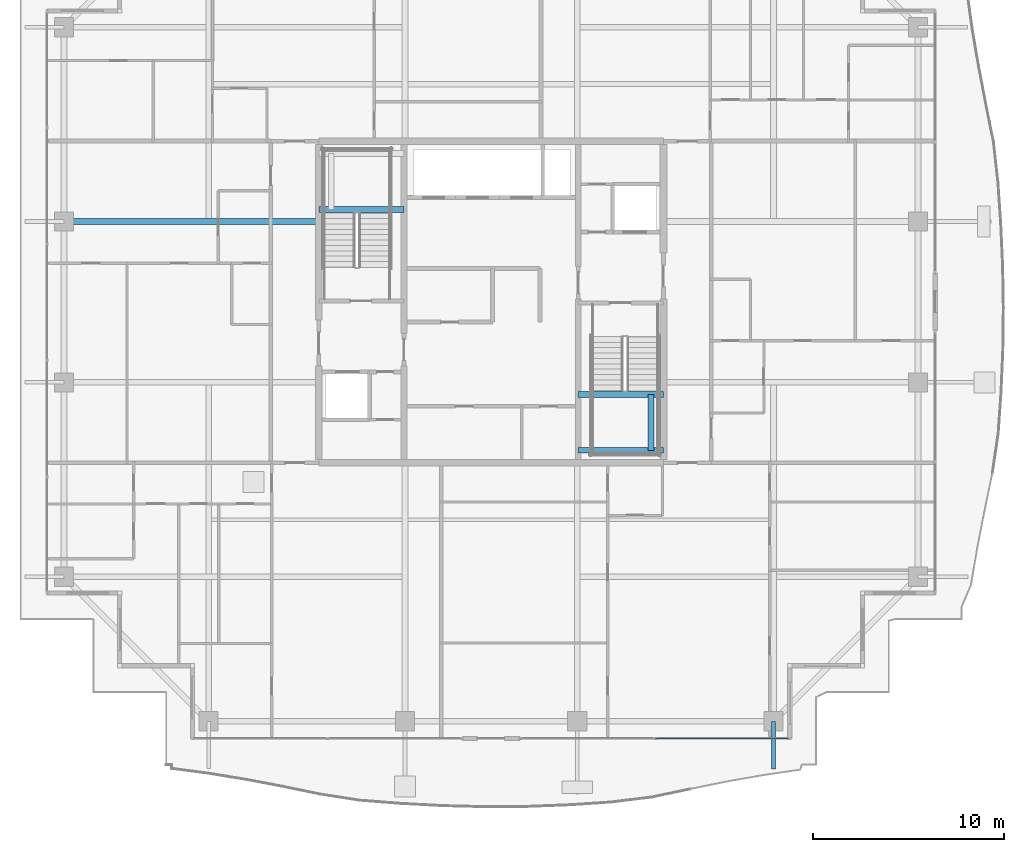
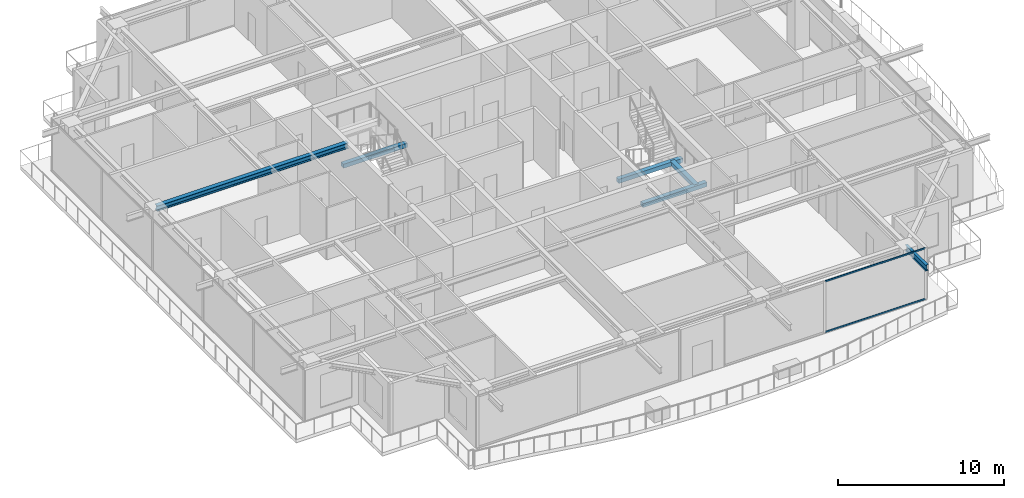
# One storey, part 11 of 42: 6 beams, 2 members, 1 element without a shape of its own.
"""IFC4 building model written with IfcOpenShell, lengths in metres."""

from ifc_helpers import new_model, si_unit, direction, frame, origin, origin_2d, place, context, subcontext, project, spatial, rectangle, hollow_rectangle, i_section, extrude, source, transform, mapped, material, layer, layer_set, material_profile, profile_set, type_object, element, aggregate, save


model = new_model("IFC4")

# Units and contexts
model_context = context("Model", 3, precision=1e-05, world=origin(), true_north=direction((0.0, 1.0)))
body_context = subcontext(model_context, "Body", "Model", "MODEL_VIEW")
ifc_project = project(units=[si_unit("LENGTHUNIT", "METRE"), si_unit("AREAUNIT", "SQUARE_METRE"), si_unit("VOLUMEUNIT", "CUBIC_METRE"), si_unit("PLANEANGLEUNIT", "RADIAN"), si_unit("MASSUNIT", "GRAM", prefix="KILO")], contexts=[model_context])

# Site, building, storey
site_placement = place(None, origin())
site = spatial("IfcSite", under=ifc_project, at=site_placement, CompositionType="ELEMENT")
building_placement = place(site_placement, origin())
building = spatial("IfcBuilding", under=site, at=building_placement, Name="Serunith Strait Residences", CompositionType="ELEMENT")
storey_placement = place(building_placement, frame((0.0, 0.0, 293.449951171875)))
storey = spatial("IfcBuildingStorey", under=building, at=storey_placement, Name="L73", CompositionType="ELEMENT", Elevation=293.449951171875)

# Beams
ifc_material_1 = material(Name="Steel S355J2", Category="steel")
ifc_material_profile_1 = material_profile(ifc_material_1, i_section(OverallWidth=0.300048828125, OverallDepth=0.39990234375, WebThickness=0.013427734375, FlangeThickness=0.02392578125, FilletRadius=0.027099609375, at=origin_2d()), Name="HEB 400")
ifc_profile_set_1 = profile_set([ifc_material_profile_1], Name="Steel S355J2")
beam_type_1 = type_object("IfcBeamType", Name="BM-HEB400", PredefinedType="BEAM", material=ifc_profile_set_1)
shared_shape_1 = source(origin(), body_context, "Body", "SweptSolid", [
    extrude(i_section(OverallWidth=0.300048828125, OverallDepth=0.39990234375, WebThickness=0.013427734375, FlangeThickness=0.02392578125, FilletRadius=0.027099609375, at=origin_2d()), origin(), (0.0, 0.0, 1.0), 13.2998046875),
])
beam_1_placement = place(storey_placement, frame((23.39990234375, 29.39990234375, 3.587158203125), z_axis=(-1.0, 0.0, 0.0), x_axis=(0.0, -1.0, 0.0)))
element("IfcBeam", 1, at=beam_1_placement, inside=storey, type_object=beam_type_1, Name="L73 Primary Floor Girder TC-W3", PredefinedType="BEAM", context=body_context, shape_type="MappedRepresentation", body=[
    mapped(shared_shape_1, transform((0.0, 0.0, 0.0), scale=1.0)),
])
ifc_material_profile_2 = material_profile(ifc_material_1, i_section(OverallWidth=0.18994140625, OverallDepth=0.449951171875, WebThickness=0.009521484375, FlangeThickness=0.0146484375, FilletRadius=0.02099609375, at=origin_2d()), Name="IPE 450")
ifc_profile_set_2 = profile_set([ifc_material_profile_2], Name="Steel S355J2")
beam_type_2 = type_object("IfcBeamType", Name="BM-IPE450", PredefinedType="JOIST", material=ifc_profile_set_2)
shared_shape_2 = source(origin(), body_context, "Body", "SweptSolid", [
    extrude(i_section(OverallWidth=0.18994140625, OverallDepth=0.449951171875, WebThickness=0.009521484375, FlangeThickness=0.0146484375, FilletRadius=0.02099609375, at=origin_2d()), origin(), (0.0, 0.0, 1.0), 2.490478515625),
])
beam_2_placement = place(storey_placement, frame((47.14990234375, 3.300048828125, 3.531982421875), z_axis=(0.0, -1.0, 0.0), x_axis=(1.0, 0.0, 0.0)))
element("IfcBeam", 2, at=beam_2_placement, inside=storey, type_object=beam_type_2, Name="L74 Cantilevered Balcony Rib TC-S4", PredefinedType="JOIST", context=body_context, shape_type="MappedRepresentation", body=[
    mapped(shared_shape_2, transform((0.0, 0.0, 0.0), scale=1.0)),
])
ifc_material_2 = material(Name="Concrete C60/75", Category="concrete")
ifc_material_profile_3 = material_profile(ifc_material_2, rectangle(XDim=0.300048828125, YDim=0.300048828125, at=origin_2d()), Name="RC 300x300")
ifc_profile_set_3 = profile_set([ifc_material_profile_3], Name="Concrete C60/75")
beam_type_3 = type_object("IfcBeamType", Name="BM-LAND-300x300", PredefinedType="BEAM", material=ifc_profile_set_3)
shared_shape_3 = source(origin(), body_context, "Body", "SweptSolid", [
    extrude(rectangle(XDim=0.300048828125, YDim=0.300048828125, at=origin_2d()), origin(), (0.0, 0.0, 1.0), 4.4501953125),
])
beam_3_placement = place(storey_placement, frame((23.39990234375, 30.030029296875, 1.675048828125), z_axis=(1.0, 0.0, 0.0), x_axis=(0.0, 1.0, 0.0)))
element("IfcBeam", 3, at=beam_3_placement, inside=storey, type_object=beam_type_3, Name="L73 ST-1 Landing Support Beam 1", PredefinedType="BEAM", context=body_context, shape_type="MappedRepresentation", body=[
    mapped(shared_shape_3, transform((0.0, 0.0, 0.0), scale=1.0)),
])
shared_shape_4 = source(origin(), body_context, "Body", "SweptSolid", [
    extrude(rectangle(XDim=0.300048828125, YDim=0.300048828125, at=origin_2d()), origin(), (0.0, 0.0, 1.0), 4.449951171875),
])
for number, where, z_axis, x_axis, name in (
    (4, (36.949951171875, 17.449951171875, 1.675048828125), (1.0, 0.0, 0.0), (0.0, 1.0, 0.0), "L73 ST-2 Landing Support Beam 1"),
    (5, (36.949951171875, 20.3701171875, 1.675048828125), (1.0, 0.0, 0.0), (0.0, 1.0, 0.0), "L73 ST-2 Landing Support Beam 2"),
):
    element("IfcBeam", number, at=place(storey_placement, frame(where, z_axis=z_axis, x_axis=x_axis)), inside=storey, type_object=beam_type_3, Name=name, PredefinedType="BEAM", context=body_context, shape_type="MappedRepresentation", body=[
        mapped(shared_shape_4, transform((0.0, 0.0, 0.0), scale=1.0)),
    ])
shared_shape_5 = source(origin(), body_context, "Body", "SweptSolid", [
    extrude(rectangle(XDim=0.300048828125, YDim=0.300048828125, at=origin_2d()), origin(), (0.0, 0.0, 1.0), 2.920166015625),
])
beam_4_placement = place(storey_placement, frame((40.75, 17.449951171875, 1.675048828125), z_axis=(0.0, 1.0, 0.0), x_axis=(-1.0, 0.0, 0.0)))
element("IfcBeam", 6, at=beam_4_placement, inside=storey, type_object=beam_type_3, Name="L73 ST-2 Landing Transverse Tie Beam", PredefinedType="BEAM", context=body_context, shape_type="MappedRepresentation", body=[
    mapped(shared_shape_5, transform((0.0, 0.0, 0.0), scale=1.0)),
])

# Curtain wall, members
ifc_material_3 = material(Name="Brushed Stainless-Silver Aluminium", Category="aluminium")
ifc_layer = layer(ifc_material_3, 0.199951171875, Name="Brushed Stainless-Silver Aluminium")
ifc_layer_set = layer_set([ifc_layer], Name="Brushed Stainless-Silver Aluminium")
curtain_wall_type = type_object("IfcCurtainWallType", Name="CW-SYS5", PredefinedType="NOTDEFINED", material=ifc_layer_set)
curtain_wall_placement = place(storey_placement, origin())
curtain_wall = element("IfcCurtainWall", 7, at=curtain_wall_placement, inside=storey, type_object=curtain_wall_type, Name="L73 S Unitised Fritted Curtain Wall", PredefinedType="NOTDEFINED")
ifc_material_profile_4 = material_profile(ifc_material_3, hollow_rectangle(XDim=0.06005859375, YDim=0.1201171875, WallThickness=0.00341796875, InnerFilletRadius=0.00537109375, OuterFilletRadius=0.0087890625, at=origin_2d()), Name="ALU 120x60x3.5")
ifc_profile_set_4 = profile_set([ifc_material_profile_4], Name="Brushed Stainless-Silver Aluminium")
member_type = type_object("IfcMemberType", Name="CW-SYS5-TRAN", PredefinedType="USERDEFINED", material=ifc_profile_set_4)
shared_shape_6 = source(origin(), body_context, "Body", "SweptSolid", [
    extrude(hollow_rectangle(XDim=0.06005859375, YDim=0.1201171875, WallThickness=0.00341796875, InnerFilletRadius=0.00537109375, OuterFilletRadius=0.0087890625, at=origin_2d()), origin(), (0.0, 0.0, 1.0), 6.95263671875),
])
member_1_placement = place(storey_placement, frame((40.982421875, 2.39990234375, 0.030029296875), z_axis=(1.0, 0.0, 0.0), x_axis=(0.0, 1.0, 0.0)))
member_1 = element("IfcMember", 8, at=member_1_placement, type_object=member_type, Name="CW-5 transom 2.1", ObjectType="TRANSOM", PredefinedType="USERDEFINED", context=body_context, shape_type="MappedRepresentation", body=[
    mapped(shared_shape_6, transform((0.0, 0.0, 0.0), scale=1.0)),
])
member_2_placement = place(storey_placement, frame((40.982421875, 2.39990234375, 3.7451171875), z_axis=(1.0, 0.0, 0.0), x_axis=(0.0, 1.0, 0.0)))
member_2 = element("IfcMember", 9, at=member_2_placement, type_object=member_type, Name="CW-5 transom 2.2", ObjectType="TRANSOM", PredefinedType="USERDEFINED", context=body_context, shape_type="MappedRepresentation", body=[
    mapped(shared_shape_6, transform((0.0, 0.0, 0.0), scale=1.0)),
])
aggregate(curtain_wall, [member_1, member_2])

save(model, "model.ifc")
